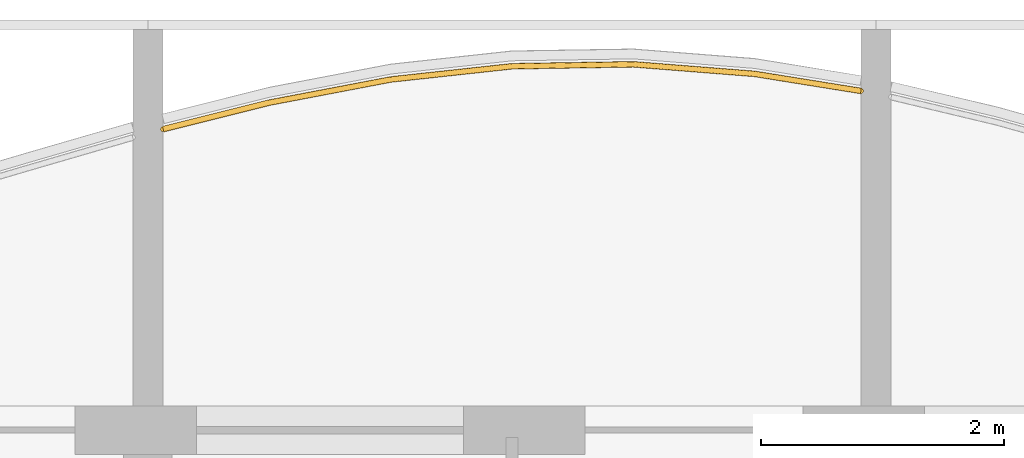
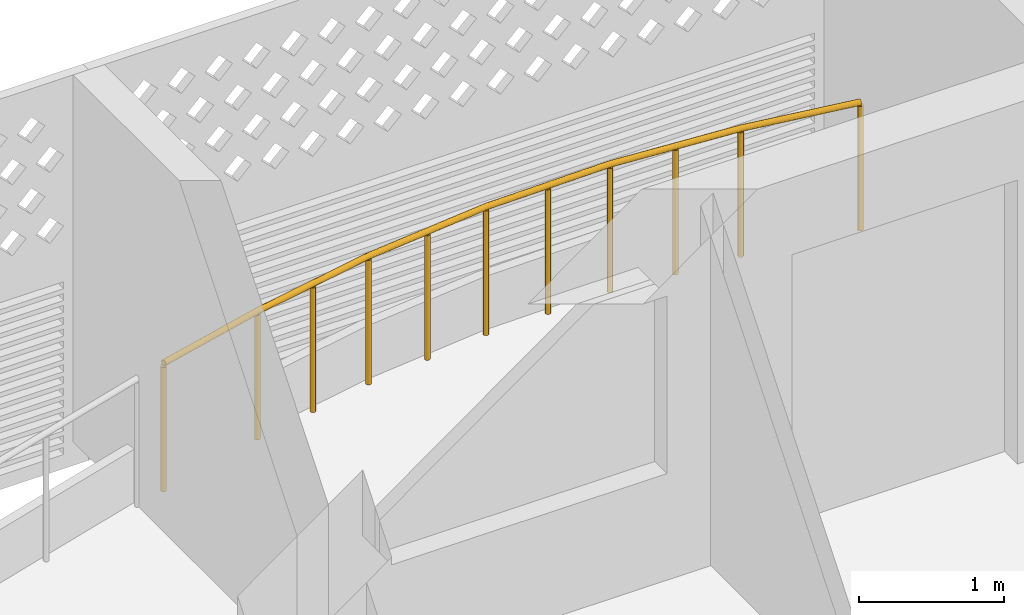
# One storey, part 21 of 39: 1 railing.
"""IFC4 building model written with IfcOpenShell, lengths in metres."""

from ifc_helpers import new_model, si_unit, direction, frame, origin, origin_2d, place, context, subcontext, project, spatial, circle, extrude, material, type_object, element, save


model = new_model("IFC4")

# Units and contexts
model_context = context("Model", 3, precision=1e-05, world=origin(), true_north=direction((0.0, 1.0)))
body_context = subcontext(model_context, "Body", "Model", "MODEL_VIEW")
ifc_project = project(units=[si_unit("LENGTHUNIT", "METRE"), si_unit("AREAUNIT", "SQUARE_METRE"), si_unit("VOLUMEUNIT", "CUBIC_METRE"), si_unit("PLANEANGLEUNIT", "RADIAN"), si_unit("MASSUNIT", "GRAM", prefix="KILO")], contexts=[model_context])

# Site, building, storey
site_placement = place(None, origin())
site = spatial("IfcSite", under=ifc_project, at=site_placement, CompositionType="ELEMENT")
building_placement = place(site_placement, origin())
building = spatial("IfcBuilding", under=site, at=building_placement, Name="Poui Terraces", CompositionType="ELEMENT")
storey_placement = place(building_placement, frame((0.0, 0.0, 59.699951171875)))
storey = spatial("IfcBuildingStorey", under=building, at=storey_placement, Name="L16", CompositionType="ELEMENT", Elevation=59.699951171875)

# Railing
ifc_material = material(Name="Painted steel fretwork", Category="steel")
railing_type = type_object("IfcRailingType", Name="BALCONY GUARD 1100", PredefinedType="GUARDRAIL", material=ifc_material)
railing_placement = place(storey_placement, frame((18.125, 47.2802734375, 0.0)))
element("IfcRailing", 1, at=railing_placement, inside=storey, type_object=railing_type, Name="BALCONY GUARD", PredefinedType="GUARDRAIL", context=body_context, shape_type="SweptSolid", body=[
    extrude(circle(Radius=0.02392578125, at=origin_2d()), frame((0.0, 0.0, 1.076171875), z_axis=(0.970142500145, 0.242535625036, 0.0), x_axis=(-0.242535625036, 0.970142500145, 0.0)), (0.0, 0.0, 1.0), 0.90185546875),
    extrude(circle(Radius=0.02392578125, at=origin_2d()), frame((0.875, 0.21875, 1.076171875), z_axis=(0.982302864177, 0.187299447491, 0.0), x_axis=(-0.187299447491, 0.982302864177, 0.0)), (0.0, 0.0, 1.0), 1.01806640625),
    extrude(circle(Radius=0.02392578125, at=origin_2d()), frame((1.875, 0.409423828125, 1.076171875), z_axis=(0.994124040351, 0.108246904784, 0.0), x_axis=(-0.108246904784, 0.994124040351, 0.0)), (0.0, 0.0, 1.0), 1.005859375),
    extrude(circle(Radius=0.02392578125, at=origin_2d()), frame((2.875, 0.518310546875, 1.076171875), z_axis=(0.999870206358, 0.016111189849, 0.0), x_axis=(-0.016111189849, 0.999870206358, 0.0)), (0.0, 0.0, 1.0), 1.000244140625),
    extrude(circle(Radius=0.02392578125, at=origin_2d()), frame((3.875, 0.534423828125, 1.076171875), z_axis=(0.996905179889, -0.07861337234, 0.0), x_axis=(0.07861337234, 0.996905179889, 0.0)), (0.0, 0.0, 1.0), 1.003173828125),
    extrude(circle(Radius=0.02392578125, at=origin_2d()), frame((4.875, 0.45556640625, 1.076171875), z_axis=(0.987373495895, -0.158409531289, 0.0), x_axis=(0.158409531289, 0.987373495895, 0.0)), (0.0, 0.0, 1.0), 0.88623046875),
    extrude(circle(Radius=0.02099609375, at=origin_2d()), origin(), (0.0, 0.0, 1.0), 1.052001953125),
    extrude(circle(Radius=0.02099609375, at=origin_2d()), frame((0.875, 0.21875, 0.0)), (0.0, 0.0, 1.0), 1.052001953125),
    extrude(circle(Radius=0.02099609375, at=origin_2d()), frame((1.375, 0.31396484375, 0.0)), (0.0, 0.0, 1.0), 1.052001953125),
    extrude(circle(Radius=0.02099609375, at=origin_2d()), frame((1.875, 0.409423828125, 0.0)), (0.0, 0.0, 1.0), 1.052001953125),
    extrude(circle(Radius=0.02099609375, at=origin_2d()), frame((2.375, 0.4638671875, 0.0)), (0.0, 0.0, 1.0), 1.052001953125),
    extrude(circle(Radius=0.02099609375, at=origin_2d()), frame((2.875, 0.518310546875, 0.0)), (0.0, 0.0, 1.0), 1.052001953125),
    extrude(circle(Radius=0.02099609375, at=origin_2d()), frame((3.375, 0.5263671875, 0.0)), (0.0, 0.0, 1.0), 1.052001953125),
    extrude(circle(Radius=0.02099609375, at=origin_2d()), frame((3.875, 0.534423828125, 0.0)), (0.0, 0.0, 1.0), 1.052001953125),
    extrude(circle(Radius=0.02099609375, at=origin_2d()), frame((4.375, 0.4951171875, 0.0)), (0.0, 0.0, 1.0), 1.052001953125),
    extrude(circle(Radius=0.02099609375, at=origin_2d()), frame((4.875, 0.45556640625, 0.0)), (0.0, 0.0, 1.0), 1.052001953125),
    extrude(circle(Radius=0.02099609375, at=origin_2d()), frame((5.75, 0.315185546875, 0.0)), (0.0, 0.0, 1.0), 1.052001953125),
])

save(model, "model.ifc")
